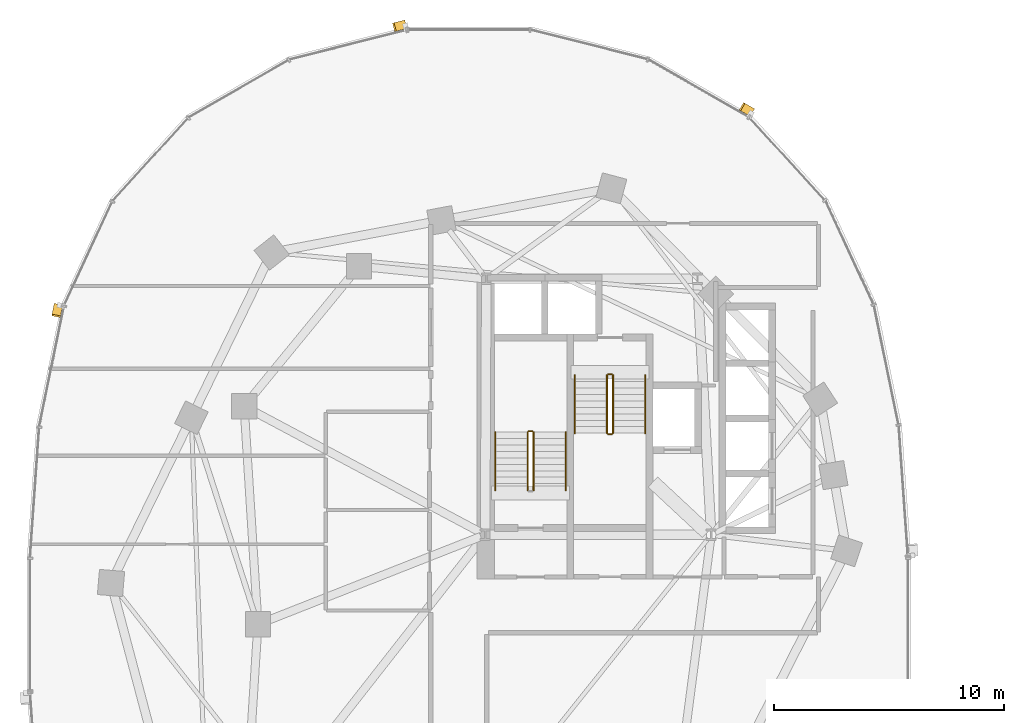
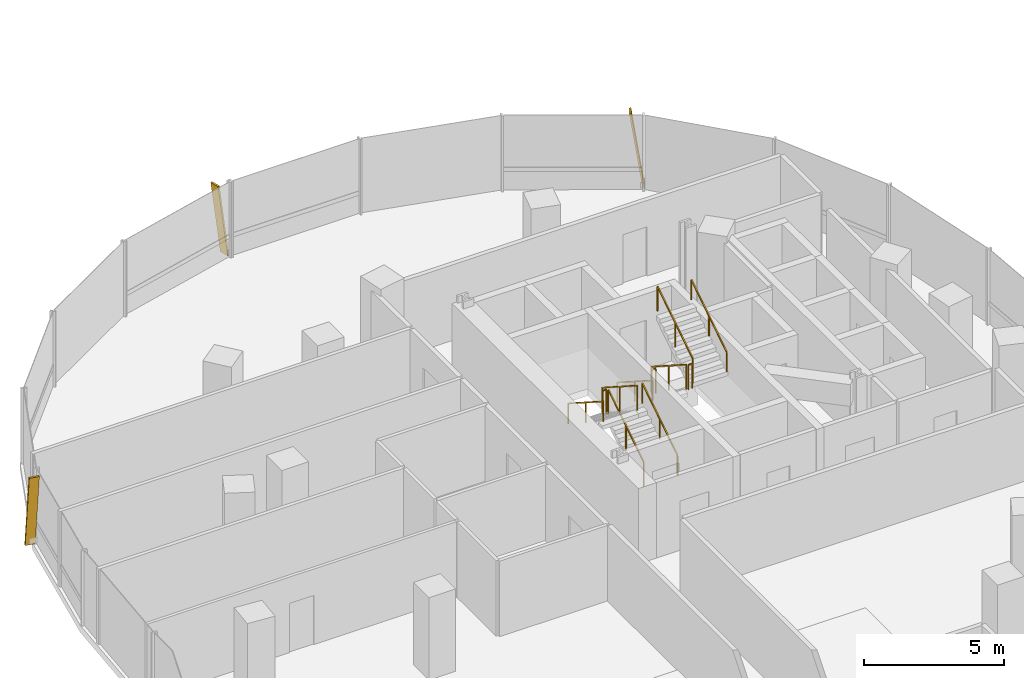
# One storey, part 19 of 21: 11 railings, 3 shading devices.
"""IFC4 building model written with IfcOpenShell, lengths in metres."""

from ifc_helpers import new_model, si_unit, direction, frame, origin, origin_2d, place, context, subcontext, project, spatial, rectangle, extrude, material, material_profile, profile_set, type_object, element, save


model = new_model("IFC4")

# Units and contexts
model_context = context("Model", 3, precision=1e-05, world=origin(), true_north=direction((0.0, 1.0)))
body_context = subcontext(model_context, "Body", "Model", "MODEL_VIEW")
ifc_project = project(units=[si_unit("LENGTHUNIT", "METRE"), si_unit("AREAUNIT", "SQUARE_METRE"), si_unit("VOLUMEUNIT", "CUBIC_METRE"), si_unit("PLANEANGLEUNIT", "RADIAN"), si_unit("MASSUNIT", "GRAM", prefix="KILO"), si_unit("THERMODYNAMICTEMPERATUREUNIT", "KELVIN"), si_unit("POWERUNIT", "WATT")], contexts=[model_context])

# Site, building, storey
site_placement = place(None, origin())
site = spatial("IfcSite", under=ifc_project, at=site_placement, CompositionType="ELEMENT")
building_placement = place(site_placement, origin())
building = spatial("IfcBuilding", under=site, at=building_placement, Name="Cundina Bronze Exchange", CompositionType="ELEMENT")
storey_placement = place(building_placement, frame((0.0, 0.0, 81.800048828125)))
storey = spatial("IfcBuildingStorey", under=building, at=storey_placement, Name="L20", CompositionType="ELEMENT", Elevation=81.800048828125)

# Railings
ifc_material_1 = material(Name="Steel ASTM A36 Painted", Category="steel")
railing_type_1 = type_object("IfcRailingType", Name="RLG-HND-900", PredefinedType="HANDRAIL", material=ifc_material_1)
railing_1_placement = place(storey_placement, frame((-27.7900390625, 5.85009765625, 0.179931640625)))
element("IfcRailing", 1, at=railing_1_placement, inside=storey, type_object=railing_type_1, Name="L20 ST-W1 stair handrail 1", PredefinedType="HANDRAIL", context=body_context, shape_type="SweptSolid", body=[
    extrude(rectangle(XDim=0.048095703125, YDim=0.048095703125, at=origin_2d()), frame((0.0, 0.0, 0.8759765625), z_axis=(0.0, 0.841162588446, 0.540782303519), x_axis=(-1.0, 0.0, 0.0)), (0.0, 0.0, 1.0), 2.995849609375),
    extrude(rectangle(XDim=0.0419921875, YDim=0.0419921875, at=origin_2d()), origin(), (0.0, 0.0, 1.0), 0.851806640625),
    extrude(rectangle(XDim=0.0419921875, YDim=0.0419921875, at=origin_2d()), frame((0.0, 1.260009765625, 0.81005859375)), (0.0, 0.0, 1.0), 0.851806640625),
    extrude(rectangle(XDim=0.0419921875, YDim=0.0419921875, at=origin_2d()), frame((0.0, 2.52001953125, 1.6201171875)), (0.0, 0.0, 1.0), 0.851806640625),
])
railing_2_placement = place(storey_placement, frame((-30.85009765625, 8.3701171875, 1.97998046875)))
element("IfcRailing", 2, at=railing_2_placement, inside=storey, type_object=railing_type_1, Name="L20 ST-W1 stair handrail 2", PredefinedType="HANDRAIL", context=body_context, shape_type="SweptSolid", body=[
    extrude(rectangle(XDim=0.048095703125, YDim=0.048095703125, at=origin_2d()), frame((0.0, 0.0, 0.8759765625), z_axis=(0.0, -0.841199657755, 0.540724639528), x_axis=(1.0, 0.0, 0.0)), (0.0, 0.0, 1.0), 2.995849609375),
    extrude(rectangle(XDim=0.0419921875, YDim=0.0419921875, at=origin_2d()), origin(), (0.0, 0.0, 1.0), 0.851806640625),
    extrude(rectangle(XDim=0.0419921875, YDim=0.0419921875, at=origin_2d()), frame((0.0, -1.260009765625, 0.81005859375)), (0.0, 0.0, 1.0), 0.851806640625),
    extrude(rectangle(XDim=0.0419921875, YDim=0.0419921875, at=origin_2d()), frame((0.0, -2.52001953125, 1.619873046875)), (0.0, 0.0, 1.0), 0.851806640625),
])
railing_3_placement = place(storey_placement, frame((-27.389892578125, 10.85009765625, 0.179931640625)))
element("IfcRailing", 3, at=railing_3_placement, inside=storey, type_object=railing_type_1, Name="L20 ST-W2 stair handrail 1", PredefinedType="HANDRAIL", context=body_context, shape_type="SweptSolid", body=[
    extrude(rectangle(XDim=0.048095703125, YDim=0.048095703125, at=origin_2d()), frame((0.0, 0.0, 0.8759765625), z_axis=(0.0, -0.841162588446, 0.540782303519), x_axis=(1.0, 0.0, 0.0)), (0.0, 0.0, 1.0), 2.995849609375),
    extrude(rectangle(XDim=0.0419921875, YDim=0.0419921875, at=origin_2d()), origin(), (0.0, 0.0, 1.0), 0.851806640625),
    extrude(rectangle(XDim=0.0419921875, YDim=0.0419921875, at=origin_2d()), frame((0.0, -1.260009765625, 0.81005859375)), (0.0, 0.0, 1.0), 0.851806640625),
    extrude(rectangle(XDim=0.0419921875, YDim=0.0419921875, at=origin_2d()), frame((0.0, -2.52001953125, 1.6201171875)), (0.0, 0.0, 1.0), 0.851806640625),
])
railing_4_placement = place(storey_placement, frame((-24.330078125, 8.330078125, 1.97998046875)))
element("IfcRailing", 4, at=railing_4_placement, inside=storey, type_object=railing_type_1, Name="L20 ST-W2 stair handrail 2", PredefinedType="HANDRAIL", context=body_context, shape_type="SweptSolid", body=[
    extrude(rectangle(XDim=0.048095703125, YDim=0.048095703125, at=origin_2d()), frame((0.0, 0.0, 0.8759765625), z_axis=(0.0, 0.841199657755, 0.540724639528), x_axis=(-1.0, 0.0, 0.0)), (0.0, 0.0, 1.0), 2.995849609375),
    extrude(rectangle(XDim=0.0419921875, YDim=0.0419921875, at=origin_2d()), origin(), (0.0, 0.0, 1.0), 0.851806640625),
    extrude(rectangle(XDim=0.0419921875, YDim=0.0419921875, at=origin_2d()), frame((0.0, 1.260009765625, 0.81005859375)), (0.0, 0.0, 1.0), 0.851806640625),
    extrude(rectangle(XDim=0.0419921875, YDim=0.0419921875, at=origin_2d()), frame((0.0, 2.52001953125, 1.619873046875)), (0.0, 0.0, 1.0), 0.851806640625),
])
railing_type_2 = type_object("IfcRailingType", Name="RLG-STG-1100", PredefinedType="GUARDRAIL", material=ifc_material_1)
railing_5_placement = place(storey_placement, frame((-29.18994140625, 5.85009765625, 0.179931640625)))
element("IfcRailing", 5, at=railing_5_placement, inside=storey, type_object=railing_type_2, Name="L20 ST-W1 stair guard 1", PredefinedType="GUARDRAIL", context=body_context, shape_type="SweptSolid", body=[
    extrude(rectangle(XDim=0.048095703125, YDim=0.048095703125, at=origin_2d()), frame((0.0, 0.0, 1.076171875), z_axis=(0.0, 0.841162588446, 0.540782303519), x_axis=(-1.0, 0.0, 0.0)), (0.0, 0.0, 1.0), 2.995849609375),
    extrude(rectangle(XDim=0.0419921875, YDim=0.0419921875, at=origin_2d()), origin(), (0.0, 0.0, 1.0), 1.052001953125),
    extrude(rectangle(XDim=0.0419921875, YDim=0.0419921875, at=origin_2d()), frame((0.0, 1.260009765625, 0.81005859375)), (0.0, 0.0, 1.0), 1.052001953125),
    extrude(rectangle(XDim=0.0419921875, YDim=0.0419921875, at=origin_2d()), frame((0.0, 2.52001953125, 1.6201171875)), (0.0, 0.0, 1.0), 1.052001953125),
])
railing_6_placement = place(storey_placement, frame((-29.239990234375, 8.419921875, 1.800048828125)))
element("IfcRailing", 6, at=railing_6_placement, inside=storey, type_object=railing_type_2, Name="L20 ST-W1 stair guard 2", PredefinedType="GUARDRAIL", context=body_context, shape_type="SweptSolid", body=[
    extrude(rectangle(XDim=0.048095703125, YDim=0.048095703125, at=origin_2d()), frame((0.0, 0.0, 1.076171875), z_axis=(-1.0, 0.0, 0.0), x_axis=(0.0, -1.0, 0.0)), (0.0, 0.0, 1.0), 0.159912109375),
    extrude(rectangle(XDim=0.0419921875, YDim=0.0419921875, at=origin_2d()), origin(), (0.0, 0.0, 1.0), 1.052001953125),
    extrude(rectangle(XDim=0.0419921875, YDim=0.0419921875, at=origin_2d()), frame((-0.159912109375, 0.0, 0.0)), (0.0, 0.0, 1.0), 1.052001953125),
])
railing_7_placement = place(storey_placement, frame((-29.449951171875, 8.3701171875, 1.97998046875)))
element("IfcRailing", 7, at=railing_7_placement, inside=storey, type_object=railing_type_2, Name="L20 ST-W1 stair guard 3", PredefinedType="GUARDRAIL", context=body_context, shape_type="SweptSolid", body=[
    extrude(rectangle(XDim=0.048095703125, YDim=0.048095703125, at=origin_2d()), frame((0.0, 0.0, 1.076171875), z_axis=(0.0, -0.841199657755, 0.540724639528), x_axis=(1.0, 0.0, 0.0)), (0.0, 0.0, 1.0), 2.995849609375),
    extrude(rectangle(XDim=0.0419921875, YDim=0.0419921875, at=origin_2d()), origin(), (0.0, 0.0, 1.0), 1.052001953125),
    extrude(rectangle(XDim=0.0419921875, YDim=0.0419921875, at=origin_2d()), frame((0.0, -1.260009765625, 0.81005859375)), (0.0, 0.0, 1.0), 1.052001953125),
    extrude(rectangle(XDim=0.0419921875, YDim=0.0419921875, at=origin_2d()), frame((0.0, -2.52001953125, 1.619873046875)), (0.0, 0.0, 1.0), 1.052001953125),
])
railing_8_placement = place(storey_placement, frame((-25.989990234375, 10.85009765625, 0.179931640625)))
element("IfcRailing", 8, at=railing_8_placement, inside=storey, type_object=railing_type_2, Name="L20 ST-W2 stair guard 1", PredefinedType="GUARDRAIL", context=body_context, shape_type="SweptSolid", body=[
    extrude(rectangle(XDim=0.048095703125, YDim=0.048095703125, at=origin_2d()), frame((0.0, 0.0, 1.076171875), z_axis=(0.0, -0.841162588446, 0.540782303519), x_axis=(1.0, 0.0, 0.0)), (0.0, 0.0, 1.0), 2.995849609375),
    extrude(rectangle(XDim=0.0419921875, YDim=0.0419921875, at=origin_2d()), origin(), (0.0, 0.0, 1.0), 1.052001953125),
    extrude(rectangle(XDim=0.0419921875, YDim=0.0419921875, at=origin_2d()), frame((0.0, -1.260009765625, 0.81005859375)), (0.0, 0.0, 1.0), 1.052001953125),
    extrude(rectangle(XDim=0.0419921875, YDim=0.0419921875, at=origin_2d()), frame((0.0, -2.52001953125, 1.6201171875)), (0.0, 0.0, 1.0), 1.052001953125),
])
railing_9_placement = place(storey_placement, frame((-25.93994140625, 8.280029296875, 1.800048828125)))
element("IfcRailing", 9, at=railing_9_placement, inside=storey, type_object=railing_type_2, Name="L20 ST-W2 stair guard 2", PredefinedType="GUARDRAIL", context=body_context, shape_type="SweptSolid", body=[
    extrude(rectangle(XDim=0.048095703125, YDim=0.048095703125, at=origin_2d()), frame((0.0, 0.0, 1.076171875), z_axis=(1.0, 0.0, 0.0), x_axis=(0.0, 1.0, 0.0)), (0.0, 0.0, 1.0), 0.159912109375),
    extrude(rectangle(XDim=0.0419921875, YDim=0.0419921875, at=origin_2d()), origin(), (0.0, 0.0, 1.0), 1.052001953125),
    extrude(rectangle(XDim=0.0419921875, YDim=0.0419921875, at=origin_2d()), frame((0.159912109375, 0.0, 0.0)), (0.0, 0.0, 1.0), 1.052001953125),
])
railing_10_placement = place(storey_placement, frame((-25.72998046875, 8.330078125, 1.97998046875)))
element("IfcRailing", 10, at=railing_10_placement, inside=storey, type_object=railing_type_2, Name="L20 ST-W2 stair guard 3", PredefinedType="GUARDRAIL", context=body_context, shape_type="SweptSolid", body=[
    extrude(rectangle(XDim=0.048095703125, YDim=0.048095703125, at=origin_2d()), frame((0.0, 0.0, 1.076171875), z_axis=(0.0, 0.841199657755, 0.540724639528), x_axis=(-1.0, 0.0, 0.0)), (0.0, 0.0, 1.0), 2.995849609375),
    extrude(rectangle(XDim=0.0419921875, YDim=0.0419921875, at=origin_2d()), origin(), (0.0, 0.0, 1.0), 1.052001953125),
    extrude(rectangle(XDim=0.0419921875, YDim=0.0419921875, at=origin_2d()), frame((0.0, 1.260009765625, 0.81005859375)), (0.0, 0.0, 1.0), 1.052001953125),
    extrude(rectangle(XDim=0.0419921875, YDim=0.0419921875, at=origin_2d()), frame((0.0, 2.52001953125, 1.619873046875)), (0.0, 0.0, 1.0), 1.052001953125),
])
railing_11_placement = place(storey_placement, frame((-25.93994140625, 10.89990234375, 0.0)))
element("IfcRailing", 11, at=railing_11_placement, inside=storey, type_object=railing_type_2, Name="L20 ST-W2 stair guard 4", PredefinedType="GUARDRAIL", context=body_context, shape_type="SweptSolid", body=[
    extrude(rectangle(XDim=0.048095703125, YDim=0.048095703125, at=origin_2d()), frame((0.0, 0.0, 1.076171875), z_axis=(1.0, 0.0, 0.0), x_axis=(0.0, 1.0, 0.0)), (0.0, 0.0, 1.0), 0.159912109375),
    extrude(rectangle(XDim=0.0419921875, YDim=0.0419921875, at=origin_2d()), origin(), (0.0, 0.0, 1.0), 1.052001953125),
    extrude(rectangle(XDim=0.0419921875, YDim=0.0419921875, at=origin_2d()), frame((0.159912109375, 0.0, 0.0)), (0.0, 0.0, 1.0), 1.052001953125),
])

# Shading devices
ifc_material_2 = material(Name="Anodised Bronze Aluminium 6063-T6", Category="aluminium")
ifc_material_profile = material_profile(ifc_material_2, rectangle(XDim=0.070068359375, YDim=0.3798828125, at=origin_2d()), Name="FIN70X380", Category="aluminium")
ifc_profile_set = profile_set([ifc_material_profile], Name="Anodised Bronze Aluminium 6063-T6")
shading_device_type = type_object("IfcShadingDeviceType", Name="SHD-FIN-BRZ380", PredefinedType="USERDEFINED", material=ifc_profile_set)
for number, where, z_axis, x_axis, name in (
    (12, (-19.685791015625, 22.314208984375, 0.02001953125), (-0.126324692219, 0.072534823274, 0.989333498649), (0.857958278167, -0.492634108109, 0.145668213594), "L20 Diagonal Bronze Solar Fin 5"),
    (13, (-34.787353515625, 26.138427734375, 0.02001953125), (-0.141217047268, -0.035711761166, 0.989334329575), (0.95914051701, 0.242552848478, 0.145662570088), "L20 Diagonal Bronze Solar Fin 1"),
    (14, (-49.89599609375, 13.911865234375, 0.02001953125), (-0.029413888538, -0.142698109128, 0.989329102378), (0.199728220342, 0.968958570224, 0.145698068578), "L20 Diagonal Bronze Solar Fin 5"),
):
    element("IfcShadingDevice", number, at=place(storey_placement, frame(where, z_axis=z_axis, x_axis=x_axis)), inside=storey, type_object=shading_device_type, Name=name, ObjectType="FIN", PredefinedType="USERDEFINED", context=body_context, shape_type="SweptSolid", body=[
        extrude(rectangle(XDim=0.070068359375, YDim=0.3798828125, at=origin_2d()), origin(), (0.0, 0.0, 1.0), 3.295166015625),
    ])

save(model, "model.ifc")
